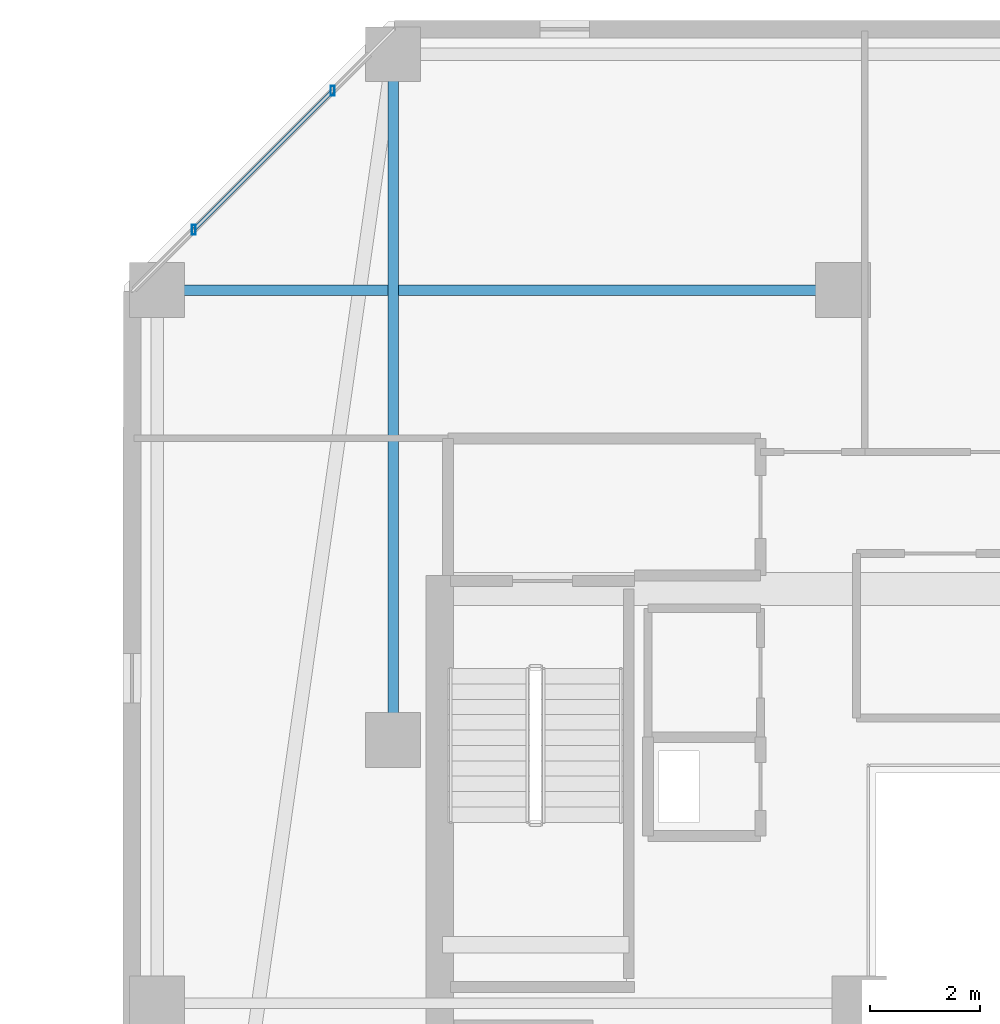
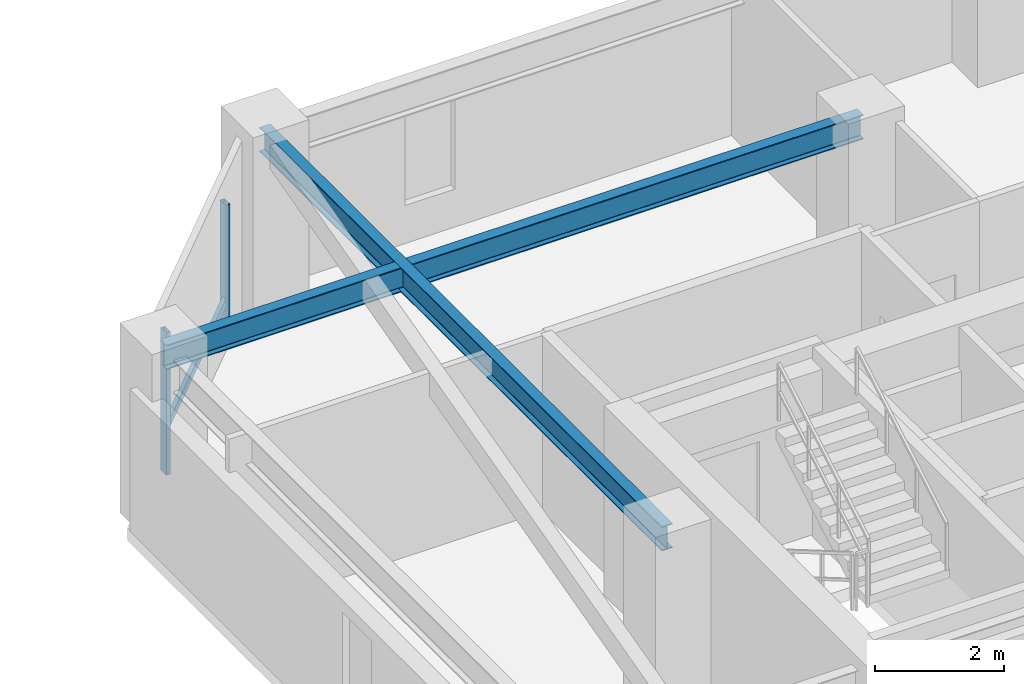
# One storey, part 14 of 32: 3 members, 2 beams, 1 element without a shape of its own.
"""IFC4 building model written with IfcOpenShell, lengths in metres."""

from ifc_helpers import new_model, si_unit, direction, frame, origin, origin_2d, place, context, subcontext, project, spatial, hollow_rectangle, i_section, extrude, material, material_profile, profile_set, type_object, element, aggregate, save


model = new_model("IFC4")

# Units and contexts
model_context = context("Model", 3, precision=1e-05, world=origin(), true_north=direction((0.0, 1.0)))
body_context = subcontext(model_context, "Body", "Model", "MODEL_VIEW")
ifc_project = project(units=[si_unit("LENGTHUNIT", "METRE"), si_unit("AREAUNIT", "SQUARE_METRE"), si_unit("VOLUMEUNIT", "CUBIC_METRE"), si_unit("PLANEANGLEUNIT", "RADIAN"), si_unit("MASSUNIT", "GRAM", prefix="KILO")], contexts=[model_context])

# Site, building, storey
site_placement = place(None, origin())
site = spatial("IfcSite", under=ifc_project, at=site_placement, CompositionType="ELEMENT")
building_placement = place(site_placement, origin())
building = spatial("IfcBuilding", under=site, at=building_placement, Name="Thornwick Lancets Civic Towers", CompositionType="ELEMENT")
storey_placement = place(building_placement, frame((0.0, 0.0, 247.5)))
storey = spatial("IfcBuildingStorey", under=building, at=storey_placement, Name="L66", CompositionType="ELEMENT", Elevation=247.5)

# Beams
ifc_material_1 = material(Name="Steel S355JR", Category="steel")
ifc_material_profile_1 = material_profile(ifc_material_1, i_section(OverallWidth=0.19189453125, OverallDepth=0.46337890625, WebThickness=0.010498046875, FlangeThickness=0.017578125, FilletRadius=0.01025390625, at=origin_2d()), Name="UKB 457x191x89")
ifc_profile_set_1 = profile_set([ifc_material_profile_1], Name="Steel S355JR")
beam_type = type_object("IfcBeamType", Name="BM_JOIST_457_89", PredefinedType="JOIST", material=ifc_profile_set_1)
for number, where, z_axis, x_axis, name in (
    (1, (75.5, 31.800048828125, 3.12841796875), (0.0, 1.0, 0.0), (-1.0, 0.0, 0.0), "BM-RADIN-L66-B06"),
    (2, (83.699951171875, 40.0, 3.12841796875), (-1.0, 0.0, 0.0), (0.0, -1.0, 0.0), "BM-RADIN-L66-B09"),
):
    element("IfcBeam", number, at=place(storey_placement, frame(where, z_axis=z_axis, x_axis=x_axis)), inside=storey, type_object=beam_type, Name=name, PredefinedType="JOIST", context=body_context, shape_type="SweptSolid", body=[
        extrude(i_section(OverallWidth=0.19189453125, OverallDepth=0.46337890625, WebThickness=0.010498046875, FlangeThickness=0.017578125, FilletRadius=0.01025390625, at=origin_2d()), origin(), (0.0, 0.0, 1.0), 12.5),
    ])

# Curtain wall, members
ifc_material_2 = material(Name="High-zone chamfered-corner unitised glass curtain wall", Category="glass")
curtain_wall_type = type_object("IfcCurtainWallType", Name="CW_SYS_05", PredefinedType="NOTDEFINED", material=ifc_material_2)
curtain_wall_placement = place(storey_placement, origin())
curtain_wall = element("IfcCurtainWall", 3, at=curtain_wall_placement, inside=storey, type_object=curtain_wall_type, Name="L66 Curtain Wall CW-L66-B-E5", PredefinedType="NOTDEFINED")
ifc_material_3 = material(Name="Thermally broken bronze aluminium S355", Category="steel")
ifc_material_profile_2 = material_profile(ifc_material_3, hollow_rectangle(XDim=0.074951171875, YDim=0.179931640625, WallThickness=0.006103515625, at=origin_2d()), Name="RHS 180x75x6")
ifc_profile_set_2 = profile_set([ifc_material_profile_2], Name="Thermally broken bronze aluminium S355")
member_type_1 = type_object("IfcMemberType", Name="CW_MUL_180", PredefinedType="MULLION", material=ifc_profile_set_2)
member_1_placement = place(storey_placement, frame((74.39990234375, 43.63232421875, 0.0), z_axis=(0.0, 0.0, 1.0), x_axis=(1.0, 0.0, 0.0)))
member_1 = element("IfcMember", 4, at=member_1_placement, type_object=member_type_1, Name="CW-L66-B-E5 Mullion 0", PredefinedType="MULLION", context=body_context, shape_type="SweptSolid", body=[
    extrude(hollow_rectangle(XDim=0.074951171875, YDim=0.179931640625, WallThickness=0.006103515625, at=origin_2d()), origin(), (0.0, 0.0, 1.0), 2.699951171875),
])
member_2_placement = place(storey_placement, frame((71.86767578125, 41.10009765625, 0.0), z_axis=(0.0, 0.0, 1.0), x_axis=(1.0, 0.0, 0.0)))
member_2 = element("IfcMember", 5, at=member_2_placement, type_object=member_type_1, Name="CW-L66-B-E5 Mullion 1", PredefinedType="MULLION", context=body_context, shape_type="SweptSolid", body=[
    extrude(hollow_rectangle(XDim=0.074951171875, YDim=0.179931640625, WallThickness=0.006103515625, at=origin_2d()), origin(), (0.0, 0.0, 1.0), 2.699951171875),
])
ifc_material_profile_3 = material_profile(ifc_material_3, hollow_rectangle(XDim=0.074951171875, YDim=0.14990234375, WallThickness=0.0048828125, at=origin_2d()), Name="RHS 150x75x5")
ifc_profile_set_3 = profile_set([ifc_material_profile_3], Name="Thermally broken bronze aluminium S355")
member_type_2 = type_object("IfcMemberType", Name="CW_TRN_150", PredefinedType="USERDEFINED", material=ifc_profile_set_3)
member_3_placement = place(storey_placement, frame((74.3857421875, 43.618408203125, 0.85009765625), z_axis=(-0.707106781187, -0.707106781187, 0.0), x_axis=(0.707106781187, -0.707106781187, 0.0)))
member_3 = element("IfcMember", 6, at=member_3_placement, type_object=member_type_2, Name="CW-L66-B-E5 Transom 0", ObjectType="TRANSOM", PredefinedType="USERDEFINED", context=body_context, shape_type="SweptSolid", body=[
    extrude(hollow_rectangle(XDim=0.074951171875, YDim=0.14990234375, WallThickness=0.0048828125, at=origin_2d()), origin(), (0.0, 0.0, 1.0), 3.54150390625),
])
aggregate(curtain_wall, [member_1, member_2, member_3])

save(model, "model.ifc")
